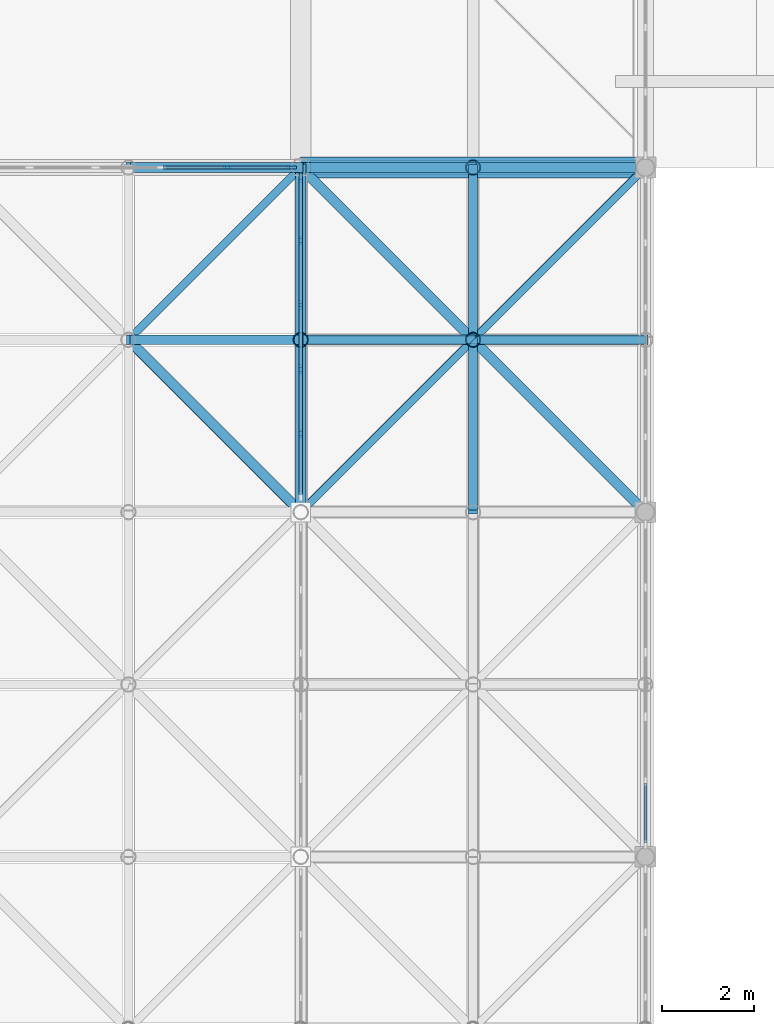
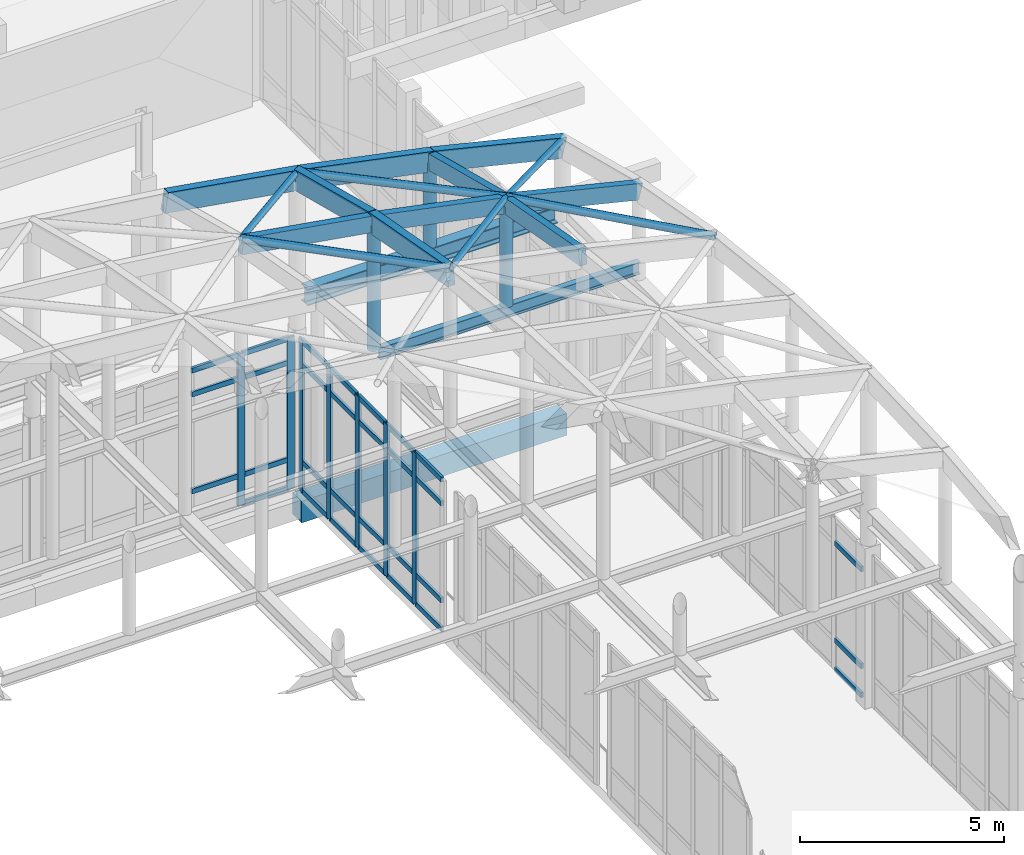
# One storey, part 48 of 131: 56 members, 3 beams, 3 elements without a shape of their own.
"""IFC4 building model written with IfcOpenShell, lengths in metres."""

from ifc_helpers import new_model, si_unit, direction, frame, origin, origin_2d, place, context, subcontext, project, spatial, rectangle, hollow_circle, i_section, extrude, material, layer, layer_set, material_profile, profile_set, type_object, element, aggregate, save


model = new_model("IFC4")

# Units and contexts
model_context = context("Model", 3, precision=1e-05, world=origin(), true_north=direction((0.0, 1.0)))
body_context = subcontext(model_context, "Body", "Model", "MODEL_VIEW")
ifc_project = project(units=[si_unit("LENGTHUNIT", "METRE"), si_unit("AREAUNIT", "SQUARE_METRE"), si_unit("VOLUMEUNIT", "CUBIC_METRE"), si_unit("PLANEANGLEUNIT", "RADIAN"), si_unit("MASSUNIT", "GRAM", prefix="KILO")], contexts=[model_context])

# Site, building, storey
site_placement = place(None, origin())
site = spatial("IfcSite", under=ifc_project, at=site_placement, CompositionType="ELEMENT")
building_placement = place(site_placement, origin())
building = spatial("IfcBuilding", under=site, at=building_placement, Name="Dalvernix Boulevard General Hospital", CompositionType="ELEMENT")
storey_placement = place(building_placement, frame((0.0, 0.0, 9.300048828125)))
storey = spatial("IfcBuildingStorey", under=building, at=storey_placement, Name="L02", CompositionType="ELEMENT", Elevation=9.300048828125)

# Beams
ifc_material_1 = material(Name="Concrete C35/45", Category="concrete")
ifc_material_profile_1 = material_profile(ifc_material_1, rectangle(XDim=0.449951171875, YDim=0.64990234375, at=origin_2d()), Name="RCB 450x650")
ifc_profile_set_1 = profile_set([ifc_material_profile_1], Name="Concrete C35/45")
beam_type_1 = type_object("IfcBeamType", Name="BM-B-03-I", PredefinedType="BEAM", material=ifc_profile_set_1)
beam_1_placement = place(storey_placement, frame((105.0, 61.5, -0.64501953125), z_axis=(1.0, 0.0, 0.0), x_axis=(0.0, 1.0, 0.0)))
element("IfcBeam", 1, at=beam_1_placement, inside=storey, type_object=beam_type_1, Name="L02 E-W girder J:15-16", PredefinedType="BEAM", context=body_context, shape_type="SweptSolid", body=[
    extrude(rectangle(XDim=0.449951171875, YDim=0.64990234375, at=origin_2d()), origin(), (0.0, 0.0, 1.0), 7.5),
])
ifc_material_2 = material(Name="Steel S355", Category="steel")
ifc_material_profile_2 = material_profile(ifc_material_2, i_section(OverallWidth=0.300048828125, OverallDepth=0.5, WebThickness=0.014404296875, FlangeThickness=0.028076171875, FilletRadius=0.027099609375, at=origin_2d()), Name="HEB 500")
ifc_profile_set_2 = profile_set([ifc_material_profile_2], Name="Steel S355")
beam_type_2 = type_object("IfcBeamType", Name="BM-RB-02", PredefinedType="BEAM", material=ifc_profile_set_2)
beam_2_placement = place(storey_placement, frame((105.2099609375, 61.5, 5.64990234375), z_axis=(1.0, 0.0, 0.0), x_axis=(0.0, 1.0, 0.0)))
element("IfcBeam", 2, at=beam_2_placement, inside=storey, type_object=beam_type_2, Name="Gridshell Ring Beam N bay 7", PredefinedType="BEAM", context=body_context, shape_type="SweptSolid", body=[
    extrude(i_section(OverallWidth=0.300048828125, OverallDepth=0.5, WebThickness=0.014404296875, FlangeThickness=0.028076171875, FilletRadius=0.027099609375, at=origin_2d()), origin(), (0.0, 0.0, 1.0), 7.080078125),
])
ifc_material_profile_3 = material_profile(ifc_material_2, i_section(OverallWidth=0.169921875, OverallDepth=0.360107421875, WebThickness=0.008056640625, FlangeThickness=0.0126953125, FilletRadius=0.01806640625, at=origin_2d()), Name="IPE 360")
ifc_profile_set_3 = profile_set([ifc_material_profile_3], Name="Steel S355")
beam_type_3 = type_object("IfcBeamType", Name="BM-RB-08", PredefinedType="BEAM", material=ifc_profile_set_3)
beam_3_placement = place(storey_placement, frame((105.14208984375, 57.75, 6.219970703125), z_axis=(1.0, 0.0, 0.0), x_axis=(0.0, 1.0, 0.0)))
element("IfcBeam", 3, at=beam_3_placement, inside=storey, type_object=beam_type_3, Name="ROOF TRUSS Gridshell cross tie 12-7", PredefinedType="BEAM", context=body_context, shape_type="SweptSolid", body=[
    extrude(i_section(OverallWidth=0.169921875, OverallDepth=0.360107421875, WebThickness=0.008056640625, FlangeThickness=0.0126953125, FilletRadius=0.01806640625, at=origin_2d()), origin(), (0.0, 0.0, 1.0), 7.35791015625),
])

# Curtain wall, members
ifc_material_3 = material(Name="Thermally broken aluminium and solar-control glass curtain wall", Category="aluminium")
ifc_layer_1 = layer(ifc_material_3, 0.199951171875)
ifc_layer_set_1 = layer_set([ifc_layer_1], Name="Thermally broken aluminium and solar-control glass curtain wall (CW-CW-C-72x46)")
curtain_wall_type_1 = type_object("IfcCurtainWallType", Name="CW-CW-C-72x46", PredefinedType="USERDEFINED", material=ifc_layer_set_1)
curtain_wall_1_placement = place(storey_placement, origin())
curtain_wall_1 = element("IfcCurtainWall", 4, at=curtain_wall_1_placement, inside=storey, type_object=curtain_wall_type_1, Name="L02 curtain wall CW-C-72x46 13-8", ObjectType="GLAZED FACADE", PredefinedType="USERDEFINED")
ifc_material_4 = material(Name="Aluminium EN AW-6060", Category="aluminium")
ifc_material_profile_4 = material_profile(ifc_material_4, rectangle(XDim=0.070068359375, YDim=0.199951171875, at=origin_2d()), Name="ALU MULL 70x200")
ifc_profile_set_4 = profile_set([ifc_material_profile_4], Name="Aluminium EN AW-6060")
member_type_1 = type_object("IfcMemberType", Name="MEM-CW-M3", PredefinedType="MULLION", material=ifc_profile_set_4)
member_1_placement = place(storey_placement, frame((104.804931640625, 61.5, 0.0), z_axis=(0.0, 0.0, 1.0), x_axis=(0.0, -1.0, 0.0)))
member_1 = element("IfcMember", 5, at=member_1_placement, type_object=member_type_1, Name="CW-C-72x46 mullion 1", PredefinedType="MULLION", context=body_context, shape_type="SweptSolid", body=[
    extrude(rectangle(XDim=0.070068359375, YDim=0.199951171875, at=origin_2d()), origin(), (0.0, 0.0, 1.0), 4.550048828125),
])
member_2_placement = place(storey_placement, frame((103.404052734375, 61.5, 0.0), z_axis=(0.0, 0.0, 1.0), x_axis=(0.0, -1.0, 0.0)))
member_2 = element("IfcMember", 6, at=member_2_placement, type_object=member_type_1, Name="CW-C-72x46 mullion 2", PredefinedType="MULLION", context=body_context, shape_type="SweptSolid", body=[
    extrude(rectangle(XDim=0.070068359375, YDim=0.199951171875, at=origin_2d()), origin(), (0.0, 0.0, 1.0), 4.550048828125),
])

ifc_layer_2 = layer(ifc_material_3, 0.199951171875)
ifc_layer_set_2 = layer_set([ifc_layer_2], Name="Thermally broken aluminium and solar-control glass curtain wall (CW-CW-C-70x46)")
curtain_wall_type_2 = type_object("IfcCurtainWallType", Name="CW-CW-C-70x46", PredefinedType="USERDEFINED", material=ifc_layer_set_2)
curtain_wall_2_placement = place(storey_placement, origin())
curtain_wall_2 = element("IfcCurtainWall", 7, at=curtain_wall_2_placement, inside=storey, type_object=curtain_wall_type_2, Name="L02 curtain wall CW-C-70x46 14-7", ObjectType="GLAZED FACADE", PredefinedType="USERDEFINED")
member_3_placement = place(storey_placement, frame((105.0, 55.7099609375, 0.0), z_axis=(0.0, 0.0, 1.0), x_axis=(-1.0, 0.0, 0.0)))
member_3 = element("IfcMember", 8, at=member_3_placement, type_object=member_type_1, Name="CW-C-70x46 mullion 2", PredefinedType="MULLION", context=body_context, shape_type="SweptSolid", body=[
    extrude(rectangle(XDim=0.070068359375, YDim=0.199951171875, at=origin_2d()), origin(), (0.0, 0.0, 1.0), 4.550048828125),
])
member_4_placement = place(storey_placement, frame((105.0, 57.110107421875, 0.0), z_axis=(0.0, 0.0, 1.0), x_axis=(-1.0, 0.0, 0.0)))
member_4 = element("IfcMember", 9, at=member_4_placement, type_object=member_type_1, Name="CW-C-70x46 mullion 3", PredefinedType="MULLION", context=body_context, shape_type="SweptSolid", body=[
    extrude(rectangle(XDim=0.070068359375, YDim=0.199951171875, at=origin_2d()), origin(), (0.0, 0.0, 1.0), 4.550048828125),
])
member_5_placement = place(storey_placement, frame((105.0, 58.510009765625, 0.0), z_axis=(0.0, 0.0, 1.0), x_axis=(-1.0, 0.0, 0.0)))
member_5 = element("IfcMember", 10, at=member_5_placement, type_object=member_type_1, Name="CW-C-70x46 mullion 4", PredefinedType="MULLION", context=body_context, shape_type="SweptSolid", body=[
    extrude(rectangle(XDim=0.070068359375, YDim=0.199951171875, at=origin_2d()), origin(), (0.0, 0.0, 1.0), 4.550048828125),
])
member_6_placement = place(storey_placement, frame((105.0, 59.909912109375, 0.0), z_axis=(0.0, 0.0, 1.0), x_axis=(-1.0, 0.0, 0.0)))
member_6 = element("IfcMember", 11, at=member_6_placement, type_object=member_type_1, Name="CW-C-70x46 mullion 5", PredefinedType="MULLION", context=body_context, shape_type="SweptSolid", body=[
    extrude(rectangle(XDim=0.070068359375, YDim=0.199951171875, at=origin_2d()), origin(), (0.0, 0.0, 1.0), 4.550048828125),
])
member_7_placement = place(storey_placement, frame((105.0, 61.27490234375, 0.0), z_axis=(0.0, 0.0, 1.0), x_axis=(-1.0, 0.0, 0.0)))
member_7 = element("IfcMember", 12, at=member_7_placement, type_object=member_type_1, Name="CW-C-70x46 mullion 6", PredefinedType="MULLION", context=body_context, shape_type="SweptSolid", body=[
    extrude(rectangle(XDim=0.070068359375, YDim=0.199951171875, at=origin_2d()), origin(), (0.0, 0.0, 1.0), 4.550048828125),
])

# Member
ifc_material_profile_5 = material_profile(ifc_material_4, rectangle(XDim=0.070068359375, YDim=0.14990234375, at=origin_2d()), Name="ALU TRAN 70x150")
ifc_profile_set_5 = profile_set([ifc_material_profile_5], Name="Aluminium EN AW-6060")
member_type_2 = type_object("IfcMemberType", Name="MEM-CW-T3", PredefinedType="USERDEFINED", material=ifc_profile_set_5)
member_8_placement = place(storey_placement, frame((104.77001953125, 61.5, 0.034912109375), z_axis=(-1.0, 0.0, 0.0), x_axis=(0.0, -1.0, 0.0)))
member_8 = element("IfcMember", 13, at=member_8_placement, type_object=member_type_2, Name="CW-C-72x46 transom 1.1", ObjectType="TRANSOM", PredefinedType="USERDEFINED", context=body_context, shape_type="SweptSolid", body=[
    extrude(rectangle(XDim=0.070068359375, YDim=0.14990234375, at=origin_2d()), origin(), (0.0, 0.0, 1.0), 1.3310546875),
])

member_9_placement = place(storey_placement, frame((104.77001953125, 61.5, 0.89990234375), z_axis=(-1.0, 0.0, 0.0), x_axis=(0.0, -1.0, 0.0)))
member_9 = element("IfcMember", 14, at=member_9_placement, type_object=member_type_2, Name="CW-C-72x46 transom 1.2", ObjectType="TRANSOM", PredefinedType="USERDEFINED", context=body_context, shape_type="SweptSolid", body=[
    extrude(rectangle(XDim=0.070068359375, YDim=0.14990234375, at=origin_2d()), origin(), (0.0, 0.0, 1.0), 1.3310546875),
])

member_10_placement = place(storey_placement, frame((104.77001953125, 61.5, 3.800048828125), z_axis=(-1.0, 0.0, 0.0), x_axis=(0.0, -1.0, 0.0)))
member_10 = element("IfcMember", 15, at=member_10_placement, type_object=member_type_2, Name="CW-C-72x46 transom 1.3", ObjectType="TRANSOM", PredefinedType="USERDEFINED", context=body_context, shape_type="SweptSolid", body=[
    extrude(rectangle(XDim=0.070068359375, YDim=0.14990234375, at=origin_2d()), origin(), (0.0, 0.0, 1.0), 1.3310546875),
])

member_11_placement = place(storey_placement, frame((104.77001953125, 61.5, 4.514892578125), z_axis=(-1.0, 0.0, 0.0), x_axis=(0.0, -1.0, 0.0)))
member_11 = element("IfcMember", 16, at=member_11_placement, type_object=member_type_2, Name="CW-C-72x46 transom 1.4", ObjectType="TRANSOM", PredefinedType="USERDEFINED", context=body_context, shape_type="SweptSolid", body=[
    extrude(rectangle(XDim=0.070068359375, YDim=0.14990234375, at=origin_2d()), origin(), (0.0, 0.0, 1.0), 1.3310546875),
])

member_12_placement = place(storey_placement, frame((103.368896484375, 61.5, 0.89990234375), z_axis=(-1.0, 0.0, 0.0), x_axis=(0.0, -1.0, 0.0)))
member_12 = element("IfcMember", 17, at=member_12_placement, type_object=member_type_2, Name="CW-C-72x46 transom 2.2", ObjectType="TRANSOM", PredefinedType="USERDEFINED", context=body_context, shape_type="SweptSolid", body=[
    extrude(rectangle(XDim=0.070068359375, YDim=0.14990234375, at=origin_2d()), origin(), (0.0, 0.0, 1.0), 1.365966796875),
])

member_13_placement = place(storey_placement, frame((103.368896484375, 61.5, 3.800048828125), z_axis=(-1.0, 0.0, 0.0), x_axis=(0.0, -1.0, 0.0)))
member_13 = element("IfcMember", 18, at=member_13_placement, type_object=member_type_2, Name="CW-C-72x46 transom 2.3", ObjectType="TRANSOM", PredefinedType="USERDEFINED", context=body_context, shape_type="SweptSolid", body=[
    extrude(rectangle(XDim=0.070068359375, YDim=0.14990234375, at=origin_2d()), origin(), (0.0, 0.0, 1.0), 1.365966796875),
])

member_14_placement = place(storey_placement, frame((103.368896484375, 61.5, 4.514892578125), z_axis=(-1.0, 0.0, 0.0), x_axis=(0.0, -1.0, 0.0)))
member_14 = element("IfcMember", 19, at=member_14_placement, type_object=member_type_2, Name="CW-C-72x46 transom 2.4", ObjectType="TRANSOM", PredefinedType="USERDEFINED", context=body_context, shape_type="SweptSolid", body=[
    extrude(rectangle(XDim=0.070068359375, YDim=0.14990234375, at=origin_2d()), origin(), (0.0, 0.0, 1.0), 1.365966796875),
])

aggregate(curtain_wall_1, [member_1, member_2, member_8, member_9, member_10, member_11, member_12, member_13, member_14])

# Curtain wall, members
curtain_wall_3_placement = place(storey_placement, origin())
curtain_wall_3 = element("IfcCurtainWall", 20, at=curtain_wall_3_placement, inside=storey, type_object=curtain_wall_type_2, Name="L02 curtain wall CW-C-70x46 15-6", ObjectType="GLAZED FACADE", PredefinedType="USERDEFINED")
member_15_placement = place(storey_placement, frame((112.5, 48.10595703125, 0.034912109375), z_axis=(0.0, -1.0, 0.0), x_axis=(1.0, 0.0, 0.0)))
member_15 = element("IfcMember", 21, at=member_15_placement, type_object=member_type_2, Name="CW-C-70x46 transom 5.1", ObjectType="TRANSOM", PredefinedType="USERDEFINED", context=body_context, shape_type="SweptSolid", body=[
    extrude(rectangle(XDim=0.070068359375, YDim=0.14990234375, at=origin_2d()), origin(), (0.0, 0.0, 1.0), 1.301025390625),
])
member_16_placement = place(storey_placement, frame((112.5, 48.10595703125, 0.89990234375), z_axis=(0.0, -1.0, 0.0), x_axis=(1.0, 0.0, 0.0)))
member_16 = element("IfcMember", 22, at=member_16_placement, type_object=member_type_2, Name="CW-C-70x46 transom 5.2", ObjectType="TRANSOM", PredefinedType="USERDEFINED", context=body_context, shape_type="SweptSolid", body=[
    extrude(rectangle(XDim=0.070068359375, YDim=0.14990234375, at=origin_2d()), origin(), (0.0, 0.0, 1.0), 1.301025390625),
])
member_17_placement = place(storey_placement, frame((112.5, 48.10595703125, 3.800048828125), z_axis=(0.0, -1.0, 0.0), x_axis=(1.0, 0.0, 0.0)))
member_17 = element("IfcMember", 23, at=member_17_placement, type_object=member_type_2, Name="CW-C-70x46 transom 5.3", ObjectType="TRANSOM", PredefinedType="USERDEFINED", context=body_context, shape_type="SweptSolid", body=[
    extrude(rectangle(XDim=0.070068359375, YDim=0.14990234375, at=origin_2d()), origin(), (0.0, 0.0, 1.0), 1.301025390625),
])
aggregate(curtain_wall_3, [member_15, member_16, member_17])

# Member
member_18_placement = place(storey_placement, frame((105.0, 54.3798828125, 0.034912109375), z_axis=(0.0, 1.0, 0.0), x_axis=(-1.0, 0.0, 0.0)))
member_18 = element("IfcMember", 24, at=member_18_placement, type_object=member_type_2, Name="CW-C-70x46 transom 1.1", ObjectType="TRANSOM", PredefinedType="USERDEFINED", context=body_context, shape_type="SweptSolid", body=[
    extrude(rectangle(XDim=0.070068359375, YDim=0.14990234375, at=origin_2d()), origin(), (0.0, 0.0, 1.0), 1.295166015625),
])

member_19_placement = place(storey_placement, frame((105.0, 54.3798828125, 0.89990234375), z_axis=(0.0, 1.0, 0.0), x_axis=(-1.0, 0.0, 0.0)))
member_19 = element("IfcMember", 25, at=member_19_placement, type_object=member_type_2, Name="CW-C-70x46 transom 1.2", ObjectType="TRANSOM", PredefinedType="USERDEFINED", context=body_context, shape_type="SweptSolid", body=[
    extrude(rectangle(XDim=0.070068359375, YDim=0.14990234375, at=origin_2d()), origin(), (0.0, 0.0, 1.0), 1.295166015625),
])

member_20_placement = place(storey_placement, frame((105.0, 54.3798828125, 3.800048828125), z_axis=(0.0, 1.0, 0.0), x_axis=(-1.0, 0.0, 0.0)))
member_20 = element("IfcMember", 26, at=member_20_placement, type_object=member_type_2, Name="CW-C-70x46 transom 1.3", ObjectType="TRANSOM", PredefinedType="USERDEFINED", context=body_context, shape_type="SweptSolid", body=[
    extrude(rectangle(XDim=0.070068359375, YDim=0.14990234375, at=origin_2d()), origin(), (0.0, 0.0, 1.0), 1.295166015625),
])

member_21_placement = place(storey_placement, frame((105.0, 54.3798828125, 4.514892578125), z_axis=(0.0, 1.0, 0.0), x_axis=(-1.0, 0.0, 0.0)))
member_21 = element("IfcMember", 27, at=member_21_placement, type_object=member_type_2, Name="CW-C-70x46 transom 1.4", ObjectType="TRANSOM", PredefinedType="USERDEFINED", context=body_context, shape_type="SweptSolid", body=[
    extrude(rectangle(XDim=0.070068359375, YDim=0.14990234375, at=origin_2d()), origin(), (0.0, 0.0, 1.0), 1.295166015625),
])

member_22_placement = place(storey_placement, frame((105.0, 55.7451171875, 0.034912109375), z_axis=(0.0, 1.0, 0.0), x_axis=(-1.0, 0.0, 0.0)))
member_22 = element("IfcMember", 28, at=member_22_placement, type_object=member_type_2, Name="CW-C-70x46 transom 2.1", ObjectType="TRANSOM", PredefinedType="USERDEFINED", context=body_context, shape_type="SweptSolid", body=[
    extrude(rectangle(XDim=0.070068359375, YDim=0.14990234375, at=origin_2d()), origin(), (0.0, 0.0, 1.0), 1.329833984375),
])

member_23_placement = place(storey_placement, frame((105.0, 55.7451171875, 0.89990234375), z_axis=(0.0, 1.0, 0.0), x_axis=(-1.0, 0.0, 0.0)))
member_23 = element("IfcMember", 29, at=member_23_placement, type_object=member_type_2, Name="CW-C-70x46 transom 2.2", ObjectType="TRANSOM", PredefinedType="USERDEFINED", context=body_context, shape_type="SweptSolid", body=[
    extrude(rectangle(XDim=0.070068359375, YDim=0.14990234375, at=origin_2d()), origin(), (0.0, 0.0, 1.0), 1.329833984375),
])

member_24_placement = place(storey_placement, frame((105.0, 55.7451171875, 3.800048828125), z_axis=(0.0, 1.0, 0.0), x_axis=(-1.0, 0.0, 0.0)))
member_24 = element("IfcMember", 30, at=member_24_placement, type_object=member_type_2, Name="CW-C-70x46 transom 2.3", ObjectType="TRANSOM", PredefinedType="USERDEFINED", context=body_context, shape_type="SweptSolid", body=[
    extrude(rectangle(XDim=0.070068359375, YDim=0.14990234375, at=origin_2d()), origin(), (0.0, 0.0, 1.0), 1.329833984375),
])

member_25_placement = place(storey_placement, frame((105.0, 55.7451171875, 4.514892578125), z_axis=(0.0, 1.0, 0.0), x_axis=(-1.0, 0.0, 0.0)))
member_25 = element("IfcMember", 31, at=member_25_placement, type_object=member_type_2, Name="CW-C-70x46 transom 2.4", ObjectType="TRANSOM", PredefinedType="USERDEFINED", context=body_context, shape_type="SweptSolid", body=[
    extrude(rectangle(XDim=0.070068359375, YDim=0.14990234375, at=origin_2d()), origin(), (0.0, 0.0, 1.0), 1.329833984375),
])

member_26_placement = place(storey_placement, frame((105.0, 57.14501953125, 0.034912109375), z_axis=(0.0, 1.0, 0.0), x_axis=(-1.0, 0.0, 0.0)))
member_26 = element("IfcMember", 32, at=member_26_placement, type_object=member_type_2, Name="CW-C-70x46 transom 3.1", ObjectType="TRANSOM", PredefinedType="USERDEFINED", context=body_context, shape_type="SweptSolid", body=[
    extrude(rectangle(XDim=0.070068359375, YDim=0.14990234375, at=origin_2d()), origin(), (0.0, 0.0, 1.0), 1.330078125),
])

member_27_placement = place(storey_placement, frame((105.0, 57.14501953125, 0.89990234375), z_axis=(0.0, 1.0, 0.0), x_axis=(-1.0, 0.0, 0.0)))
member_27 = element("IfcMember", 33, at=member_27_placement, type_object=member_type_2, Name="CW-C-70x46 transom 3.2", ObjectType="TRANSOM", PredefinedType="USERDEFINED", context=body_context, shape_type="SweptSolid", body=[
    extrude(rectangle(XDim=0.070068359375, YDim=0.14990234375, at=origin_2d()), origin(), (0.0, 0.0, 1.0), 1.330078125),
])

member_28_placement = place(storey_placement, frame((105.0, 57.14501953125, 3.800048828125), z_axis=(0.0, 1.0, 0.0), x_axis=(-1.0, 0.0, 0.0)))
member_28 = element("IfcMember", 34, at=member_28_placement, type_object=member_type_2, Name="CW-C-70x46 transom 3.3", ObjectType="TRANSOM", PredefinedType="USERDEFINED", context=body_context, shape_type="SweptSolid", body=[
    extrude(rectangle(XDim=0.070068359375, YDim=0.14990234375, at=origin_2d()), origin(), (0.0, 0.0, 1.0), 1.330078125),
])

member_29_placement = place(storey_placement, frame((105.0, 57.14501953125, 4.514892578125), z_axis=(0.0, 1.0, 0.0), x_axis=(-1.0, 0.0, 0.0)))
member_29 = element("IfcMember", 35, at=member_29_placement, type_object=member_type_2, Name="CW-C-70x46 transom 3.4", ObjectType="TRANSOM", PredefinedType="USERDEFINED", context=body_context, shape_type="SweptSolid", body=[
    extrude(rectangle(XDim=0.070068359375, YDim=0.14990234375, at=origin_2d()), origin(), (0.0, 0.0, 1.0), 1.330078125),
])

member_30_placement = place(storey_placement, frame((105.0, 58.544921875, 0.034912109375), z_axis=(0.0, 1.0, 0.0), x_axis=(-1.0, 0.0, 0.0)))
member_30 = element("IfcMember", 36, at=member_30_placement, type_object=member_type_2, Name="CW-C-70x46 transom 4.1", ObjectType="TRANSOM", PredefinedType="USERDEFINED", context=body_context, shape_type="SweptSolid", body=[
    extrude(rectangle(XDim=0.070068359375, YDim=0.14990234375, at=origin_2d()), origin(), (0.0, 0.0, 1.0), 1.330078125),
])

member_31_placement = place(storey_placement, frame((105.0, 58.544921875, 0.89990234375), z_axis=(0.0, 1.0, 0.0), x_axis=(-1.0, 0.0, 0.0)))
member_31 = element("IfcMember", 37, at=member_31_placement, type_object=member_type_2, Name="CW-C-70x46 transom 4.2", ObjectType="TRANSOM", PredefinedType="USERDEFINED", context=body_context, shape_type="SweptSolid", body=[
    extrude(rectangle(XDim=0.070068359375, YDim=0.14990234375, at=origin_2d()), origin(), (0.0, 0.0, 1.0), 1.330078125),
])

member_32_placement = place(storey_placement, frame((105.0, 58.544921875, 3.800048828125), z_axis=(0.0, 1.0, 0.0), x_axis=(-1.0, 0.0, 0.0)))
member_32 = element("IfcMember", 38, at=member_32_placement, type_object=member_type_2, Name="CW-C-70x46 transom 4.3", ObjectType="TRANSOM", PredefinedType="USERDEFINED", context=body_context, shape_type="SweptSolid", body=[
    extrude(rectangle(XDim=0.070068359375, YDim=0.14990234375, at=origin_2d()), origin(), (0.0, 0.0, 1.0), 1.330078125),
])

member_33_placement = place(storey_placement, frame((105.0, 58.544921875, 4.514892578125), z_axis=(0.0, 1.0, 0.0), x_axis=(-1.0, 0.0, 0.0)))
member_33 = element("IfcMember", 39, at=member_33_placement, type_object=member_type_2, Name="CW-C-70x46 transom 4.4", ObjectType="TRANSOM", PredefinedType="USERDEFINED", context=body_context, shape_type="SweptSolid", body=[
    extrude(rectangle(XDim=0.070068359375, YDim=0.14990234375, at=origin_2d()), origin(), (0.0, 0.0, 1.0), 1.330078125),
])

member_34_placement = place(storey_placement, frame((105.0, 59.945068359375, 0.034912109375), z_axis=(0.0, 1.0, 0.0), x_axis=(-1.0, 0.0, 0.0)))
member_34 = element("IfcMember", 40, at=member_34_placement, type_object=member_type_2, Name="CW-C-70x46 transom 5.1", ObjectType="TRANSOM", PredefinedType="USERDEFINED", context=body_context, shape_type="SweptSolid", body=[
    extrude(rectangle(XDim=0.070068359375, YDim=0.14990234375, at=origin_2d()), origin(), (0.0, 0.0, 1.0), 1.294921875),
])

member_35_placement = place(storey_placement, frame((105.0, 59.945068359375, 0.89990234375), z_axis=(0.0, 1.0, 0.0), x_axis=(-1.0, 0.0, 0.0)))
member_35 = element("IfcMember", 41, at=member_35_placement, type_object=member_type_2, Name="CW-C-70x46 transom 5.2", ObjectType="TRANSOM", PredefinedType="USERDEFINED", context=body_context, shape_type="SweptSolid", body=[
    extrude(rectangle(XDim=0.070068359375, YDim=0.14990234375, at=origin_2d()), origin(), (0.0, 0.0, 1.0), 1.294921875),
])

member_36_placement = place(storey_placement, frame((105.0, 59.945068359375, 3.800048828125), z_axis=(0.0, 1.0, 0.0), x_axis=(-1.0, 0.0, 0.0)))
member_36 = element("IfcMember", 42, at=member_36_placement, type_object=member_type_2, Name="CW-C-70x46 transom 5.3", ObjectType="TRANSOM", PredefinedType="USERDEFINED", context=body_context, shape_type="SweptSolid", body=[
    extrude(rectangle(XDim=0.070068359375, YDim=0.14990234375, at=origin_2d()), origin(), (0.0, 0.0, 1.0), 1.294921875),
])

member_37_placement = place(storey_placement, frame((105.0, 59.945068359375, 4.514892578125), z_axis=(0.0, 1.0, 0.0), x_axis=(-1.0, 0.0, 0.0)))
member_37 = element("IfcMember", 43, at=member_37_placement, type_object=member_type_2, Name="CW-C-70x46 transom 5.4", ObjectType="TRANSOM", PredefinedType="USERDEFINED", context=body_context, shape_type="SweptSolid", body=[
    extrude(rectangle(XDim=0.070068359375, YDim=0.14990234375, at=origin_2d()), origin(), (0.0, 0.0, 1.0), 1.294921875),
])

aggregate(curtain_wall_2, [member_3, member_4, member_5, member_6, member_7, member_18, member_19, member_20, member_21, member_22, member_23, member_24, member_25, member_26, member_27, member_28, member_29, member_30, member_31, member_32, member_33, member_34, member_35, member_36, member_37])

# Members
ifc_material_5 = material(Name="Glulam GL28h", Category="wood")
ifc_material_profile_6 = material_profile(ifc_material_5, rectangle(XDim=0.219970703125, YDim=0.60009765625, at=origin_2d()), Name="GL28h 220x600")
ifc_profile_set_6 = profile_set([ifc_material_profile_6], Name="Glulam GL28h")
member_type_3 = type_object("IfcMemberType", Name="MEM-GS-C1", PredefinedType="CHORD", material=ifc_profile_set_6)
member_38_placement = place(storey_placement, frame((101.25, 61.5, 9.83984375), z_axis=(0.98641474393, 0.0, -0.164274017902), x_axis=(0.0, 1.0, 0.0)))
element("IfcMember", 44, at=member_38_placement, inside=storey, type_object=member_type_3, Name="ROOF TRUSS Gridshell E-W glulam rib 12-9", PredefinedType="CHORD", context=body_context, shape_type="SweptSolid", body=[
    extrude(rectangle(XDim=0.219970703125, YDim=0.60009765625, at=origin_2d()), origin(), (0.0, 0.0, 1.0), 3.8017578125),
])
member_39_placement = place(storey_placement, frame((105.0, 61.5, 9.21533203125), z_axis=(0.979900110741, 0.0, -0.199488779055), x_axis=(0.0, 1.0, 0.0)))
element("IfcMember", 45, at=member_39_placement, inside=storey, type_object=member_type_3, Name="ROOF TRUSS Gridshell E-W glulam rib 13-9", PredefinedType="CHORD", context=body_context, shape_type="SweptSolid", body=[
    extrude(rectangle(XDim=0.219970703125, YDim=0.60009765625, at=origin_2d()), origin(), (0.0, 0.0, 1.0), 3.826904296875),
])
member_40_placement = place(storey_placement, frame((108.75, 61.5, 8.451904296875), z_axis=(0.972278025754, 0.0, -0.233827801246), x_axis=(0.0, 1.0, 0.0)))
element("IfcMember", 46, at=member_40_placement, inside=storey, type_object=member_type_3, Name="ROOF TRUSS Gridshell E-W glulam rib 14-9", PredefinedType="CHORD", context=body_context, shape_type="SweptSolid", body=[
    extrude(rectangle(XDim=0.219970703125, YDim=0.60009765625, at=origin_2d()), origin(), (0.0, 0.0, 1.0), 3.85693359375),
])
member_41_placement = place(storey_placement, frame((105.0, 54.0, 10.865234375), z_axis=(0.0, 0.983606557377, -0.180327868852), x_axis=(-1.0, 0.0, 0.0)))
element("IfcMember", 47, at=member_41_placement, inside=storey, type_object=member_type_3, Name="ROOF TRUSS Gridshell N-S glulam rib 13-7", PredefinedType="CHORD", context=body_context, shape_type="SweptSolid", body=[
    extrude(rectangle(XDim=0.219970703125, YDim=0.60009765625, at=origin_2d()), origin(), (0.0, 0.0, 1.0), 3.8125),
])
member_42_placement = place(storey_placement, frame((105.0, 57.75, 10.177734375), z_axis=(0.0, 0.968610158303, -0.248584716408), x_axis=(-1.0, 0.0, 0.0)))
element("IfcMember", 48, at=member_42_placement, inside=storey, type_object=member_type_3, Name="ROOF TRUSS Gridshell N-S glulam rib 13-8", PredefinedType="CHORD", context=body_context, shape_type="SweptSolid", body=[
    extrude(rectangle(XDim=0.219970703125, YDim=0.60009765625, at=origin_2d()), origin(), (0.0, 0.0, 1.0), 3.87158203125),
])
ifc_material_profile_7 = material_profile(ifc_material_5, rectangle(XDim=0.199951171875, YDim=0.47998046875, at=origin_2d()), Name="GL28h 200x480")
ifc_profile_set_7 = profile_set([ifc_material_profile_7], Name="Glulam GL28h")
member_type_4 = type_object("IfcMemberType", Name="MEM-GS-C2", PredefinedType="CHORD", material=ifc_profile_set_7)
member_43_placement = place(storey_placement, frame((101.25, 57.75, 10.80224609375), z_axis=(0.98641474393, 0.0, -0.164274017902), x_axis=(0.0, 1.0, 0.0)))
element("IfcMember", 49, at=member_43_placement, inside=storey, type_object=member_type_4, Name="ROOF TRUSS Gridshell E-W glulam rib 12-8", PredefinedType="CHORD", context=body_context, shape_type="SweptSolid", body=[
    extrude(rectangle(XDim=0.199951171875, YDim=0.47998046875, at=origin_2d()), origin(), (0.0, 0.0, 1.0), 3.8017578125),
])
member_44_placement = place(storey_placement, frame((105.0, 57.75, 10.177734375), z_axis=(0.979912579686, 0.0, -0.1994275211), x_axis=(0.0, 1.0, 0.0)))
element("IfcMember", 50, at=member_44_placement, inside=storey, type_object=member_type_4, Name="ROOF TRUSS Gridshell E-W glulam rib 13-8", PredefinedType="CHORD", context=body_context, shape_type="SweptSolid", body=[
    extrude(rectangle(XDim=0.199951171875, YDim=0.47998046875, at=origin_2d()), origin(), (0.0, 0.0, 1.0), 3.826904296875),
])
member_45_placement = place(storey_placement, frame((108.75, 57.75, 9.41455078125), z_axis=(0.972263633295, 0.0, -0.233887638348), x_axis=(0.0, 1.0, 0.0)))
element("IfcMember", 51, at=member_45_placement, inside=storey, type_object=member_type_4, Name="ROOF TRUSS Gridshell E-W glulam rib 14-8", PredefinedType="CHORD", context=body_context, shape_type="SweptSolid", body=[
    extrude(rectangle(XDim=0.199951171875, YDim=0.47998046875, at=origin_2d()), origin(), (0.0, 0.0, 1.0), 3.85693359375),
])
member_46_placement = place(storey_placement, frame((108.75, 54.0, 10.10205078125), z_axis=(0.0, 0.983606557377, -0.180327868852), x_axis=(-1.0, 0.0, 0.0)))
element("IfcMember", 52, at=member_46_placement, inside=storey, type_object=member_type_4, Name="ROOF TRUSS Gridshell N-S glulam rib 14-7", PredefinedType="CHORD", context=body_context, shape_type="SweptSolid", body=[
    extrude(rectangle(XDim=0.199951171875, YDim=0.47998046875, at=origin_2d()), origin(), (0.0, 0.0, 1.0), 3.8125),
])
member_47_placement = place(storey_placement, frame((108.75, 57.75, 9.41455078125), z_axis=(0.0, 0.968594972907, -0.248643878787), x_axis=(-1.0, 0.0, 0.0)))
element("IfcMember", 53, at=member_47_placement, inside=storey, type_object=member_type_4, Name="ROOF TRUSS Gridshell N-S glulam rib 14-8", PredefinedType="CHORD", context=body_context, shape_type="SweptSolid", body=[
    extrude(rectangle(XDim=0.199951171875, YDim=0.47998046875, at=origin_2d()), origin(), (0.0, 0.0, 1.0), 3.87158203125),
])
ifc_material_profile_8 = material_profile(ifc_material_2, hollow_circle(Radius=0.161865234375, WallThickness=0.012451171875, at=origin_2d()), Name="CHS 323.9x12.5")
ifc_profile_set_8 = profile_set([ifc_material_profile_8], Name="Steel S355")
member_type_5 = type_object("IfcMemberType", Name="MEM-GS-C3", PredefinedType="CHORD", material=ifc_profile_set_8)
member_48_placement = place(storey_placement, frame((108.75, 61.5, 5.89990234375), z_axis=(0.0, 0.0, 1.0), x_axis=(1.0, 0.0, 0.0)))
element("IfcMember", 54, at=member_48_placement, inside=storey, type_object=member_type_5, Name="Gridshell edge mullion 13-8", PredefinedType="CHORD", context=body_context, shape_type="SweptSolid", body=[
    extrude(hollow_circle(Radius=0.161865234375, WallThickness=0.012451171875, at=origin_2d()), origin(), (0.0, 0.0, 1.0), 2.552001953125),
])
member_49_placement = place(storey_placement, frame((105.0, 57.75, 6.39990234375), z_axis=(0.0, 0.0, 1.0), x_axis=(1.0, 0.0, 0.0)))
element("IfcMember", 55, at=member_49_placement, inside=storey, type_object=member_type_5, Name="ROOF TRUSS Gridshell arch queen post 12-7", PredefinedType="CHORD", context=body_context, shape_type="SweptSolid", body=[
    extrude(hollow_circle(Radius=0.161865234375, WallThickness=0.012451171875, at=origin_2d()), origin(), (0.0, 0.0, 1.0), 3.77783203125),
])
member_50_placement = place(storey_placement, frame((108.75, 57.75, 6.39990234375), z_axis=(0.0, 0.0, 1.0), x_axis=(1.0, 0.0, 0.0)))
element("IfcMember", 56, at=member_50_placement, inside=storey, type_object=member_type_5, Name="ROOF TRUSS Gridshell arch queen post 13-7", PredefinedType="CHORD", context=body_context, shape_type="SweptSolid", body=[
    extrude(hollow_circle(Radius=0.161865234375, WallThickness=0.012451171875, at=origin_2d()), origin(), (0.0, 0.0, 1.0), 3.0146484375),
])
ifc_material_profile_9 = material_profile(ifc_material_2, hollow_circle(Radius=0.084228515625, WallThickness=0.00634765625, at=origin_2d()), Name="CHS 168.3x6.3")
ifc_profile_set_9 = profile_set([ifc_material_profile_9], Name="Steel S355")
member_type_6 = type_object("IfcMemberType", Name="MEM-GSD-01", PredefinedType="BRACE", material=ifc_profile_set_9)
member_51_placement = place(storey_placement, frame((101.25, 57.75, 10.9921875), z_axis=(0.677428599884, 0.677428599884, -0.286672259066), x_axis=(-0.707106781187, 0.707106781187, 0.0)))
element("IfcMember", 57, at=member_51_placement, inside=storey, type_object=member_type_6, Name="ROOF TRUSS Gridshell diagrid tube 12-8", PredefinedType="BRACE", context=body_context, shape_type="SweptSolid", body=[
    extrude(hollow_circle(Radius=0.084228515625, WallThickness=0.00634765625, at=origin_2d()), origin(), (0.0, 0.0, 1.0), 5.53564453125),
])
member_52_placement = place(storey_placement, frame((105.0, 54.0, 11.05517578125), z_axis=(0.68204952164, 0.68204952164, -0.263850146978), x_axis=(-0.707106781187, 0.707106781187, 0.0)))
element("IfcMember", 58, at=member_52_placement, inside=storey, type_object=member_type_6, Name="ROOF TRUSS Gridshell diagrid tube 13-7", PredefinedType="BRACE", context=body_context, shape_type="SweptSolid", body=[
    extrude(hollow_circle(Radius=0.084228515625, WallThickness=0.00634765625, at=origin_2d()), origin(), (0.0, 0.0, 1.0), 5.498046875),
])
member_53_placement = place(storey_placement, frame((108.75, 57.75, 9.6044921875), z_axis=(0.667080628523, 0.667080628523, -0.331672835939), x_axis=(-0.707106781187, 0.707106781187, 0.0)))
element("IfcMember", 59, at=member_53_placement, inside=storey, type_object=member_type_6, Name="ROOF TRUSS Gridshell diagrid tube 14-8", PredefinedType="BRACE", context=body_context, shape_type="SweptSolid", body=[
    extrude(hollow_circle(Radius=0.084228515625, WallThickness=0.00634765625, at=origin_2d()), origin(), (0.0, 0.0, 1.0), 5.62158203125),
])
ifc_material_profile_10 = material_profile(ifc_material_2, hollow_circle(Radius=0.109619140625, WallThickness=0.008056640625, at=origin_2d()), Name="CHS 219.1x8.0")
ifc_profile_set_10 = profile_set([ifc_material_profile_10], Name="Steel S355")
member_type_7 = type_object("IfcMemberType", Name="MEM-GSD-02", PredefinedType="BRACE", material=ifc_profile_set_10)
member_54_placement = place(storey_placement, frame((105.0, 54.0, 11.05517578125), z_axis=(-0.707056911568, 0.707056911568, -0.011876346561), x_axis=(-0.707106781187, -0.707106781187, 0.0)))
element("IfcMember", 60, at=member_54_placement, inside=storey, type_object=member_type_7, Name="ROOF TRUSS Gridshell diagrid tube 12-7", PredefinedType="BRACE", context=body_context, shape_type="SweptSolid", body=[
    extrude(hollow_circle(Radius=0.109619140625, WallThickness=0.008056640625, at=origin_2d()), origin(), (0.0, 0.0, 1.0), 5.3037109375),
])
member_55_placement = place(storey_placement, frame((108.75, 57.75, 9.6044921875), z_axis=(-0.706608397798, 0.706608397798, -0.037538571133), x_axis=(-0.707106781187, -0.707106781187, 0.0)))
element("IfcMember", 61, at=member_55_placement, inside=storey, type_object=member_type_7, Name="ROOF TRUSS Gridshell diagrid tube 13-8", PredefinedType="BRACE", context=body_context, shape_type="SweptSolid", body=[
    extrude(hollow_circle(Radius=0.109619140625, WallThickness=0.008056640625, at=origin_2d()), origin(), (0.0, 0.0, 1.0), 5.30712890625),
])
member_56_placement = place(storey_placement, frame((112.5, 54.0, 9.389892578125), z_axis=(-0.706528568813, 0.706528568813, 0.040432201301), x_axis=(-0.707106781187, -0.707106781187, 0.0)))
element("IfcMember", 62, at=member_56_placement, inside=storey, type_object=member_type_7, Name="ROOF TRUSS Gridshell diagrid tube 14-7", PredefinedType="BRACE", context=body_context, shape_type="SweptSolid", body=[
    extrude(hollow_circle(Radius=0.109619140625, WallThickness=0.008056640625, at=origin_2d()), origin(), (0.0, 0.0, 1.0), 5.3076171875),
])

save(model, "model.ifc")
